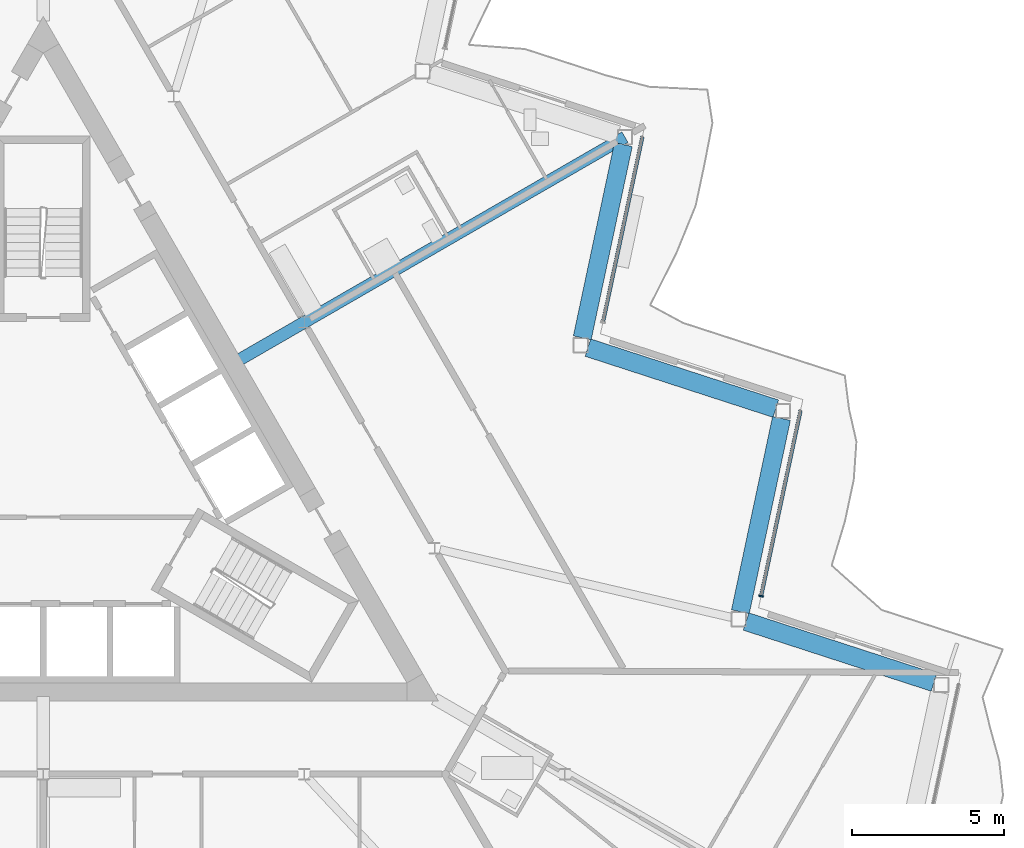
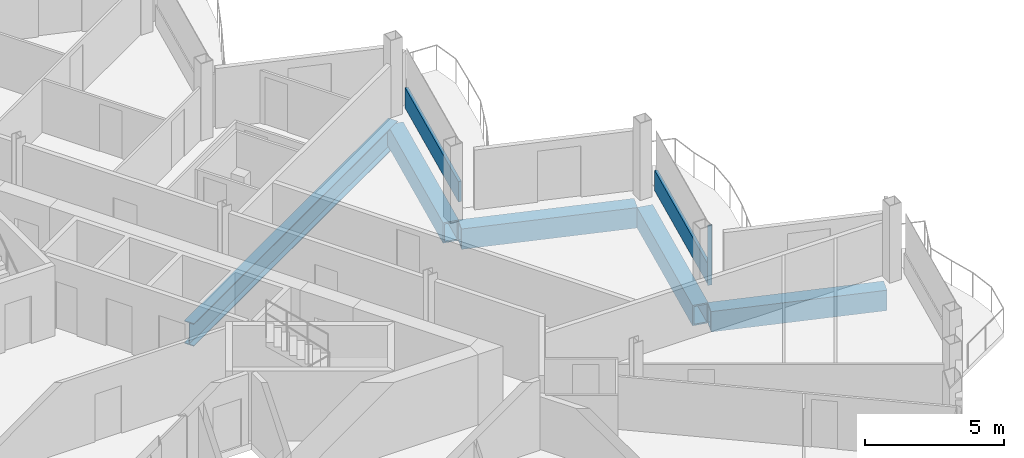
# One storey, part 9 of 27: 4 beams, 4 members, 2 elements without a shape of their own.
"""IFC4 building model written with IfcOpenShell, lengths in metres."""

from ifc_helpers import new_model, si_unit, direction, frame, origin, origin_2d, place, context, subcontext, project, spatial, rectangle, hollow_rectangle, i_section, extrude, material, layer, layer_set, material_profile, profile_set, type_object, element, aggregate, save


model = new_model("IFC4")

# Units and contexts
model_context = context("Model", 3, precision=1e-05, world=origin(), true_north=direction((0.0, 1.0)))
body_context = subcontext(model_context, "Body", "Model", "MODEL_VIEW")
ifc_project = project(units=[si_unit("LENGTHUNIT", "METRE"), si_unit("AREAUNIT", "SQUARE_METRE"), si_unit("VOLUMEUNIT", "CUBIC_METRE"), si_unit("PLANEANGLEUNIT", "RADIAN"), si_unit("MASSUNIT", "GRAM", prefix="KILO")], contexts=[model_context])

# Site, building, storey
site_placement = place(None, origin())
site = spatial("IfcSite", under=ifc_project, at=site_placement, CompositionType="ELEMENT")
building_placement = place(site_placement, origin())
building = spatial("IfcBuilding", under=site, at=building_placement, Name="Cormorant Prow Tower", CompositionType="ELEMENT")
storey_placement = place(building_placement, frame((0.0, 0.0, 361.0)))
storey = spatial("IfcBuildingStorey", under=building, at=storey_placement, Name="L80", CompositionType="ELEMENT", Elevation=361.0)

# Beams
ifc_material_1 = material(Name="Structural steel ASTM A572 Gr 50", Category="steel")
ifc_material_profile_1 = material_profile(ifc_material_1, hollow_rectangle(XDim=0.60009765625, YDim=0.89990234375, WallThickness=0.06005859375, at=origin_2d()), Name="Box 900x600x60")
ifc_profile_set_1 = profile_set([ifc_material_profile_1], Name="Structural steel ASTM A572 Gr 50")
beam_type = type_object("IfcBeamType", Name="Belt truss top chord 900x600x60", PredefinedType="BEAM", material=ifc_profile_set_1)
for number, where, z_axis, x_axis, name in (
    (1, (29.290771484375, -6.89208984375, -0.75), (-0.951053396625, 0.309026595569, 0.0), (-0.309026595569, -0.951053396625, 0.0), "Belt truss top chord TC2 ENE01-ENE02 L80"),
    (2, (22.92578125, -4.5625, -0.75), (0.207909538847, 0.978148058147, 0.0), (-0.978148058147, 0.207909538847, 0.0), "Belt truss top chord TC2 ENE02-ENE03 L80"),
    (3, (24.0908203125, 2.114501953125, -0.75), (-0.951053396625, 0.309026595569, 0.0), (-0.309026595569, -0.951053396625, 0.0), "Belt truss top chord TC2 ENE03-ENE04 L80"),
    (4, (17.725830078125, 4.444091796875, -0.75), (0.207909538847, 0.978148058147, 0.0), (-0.978148058147, 0.207909538847, 0.0), "Belt truss top chord TC2 ENE04-ENE05 L80"),
):
    element("IfcBeam", number, at=place(storey_placement, frame(where, z_axis=z_axis, x_axis=x_axis)), inside=storey, type_object=beam_type, Name=name, PredefinedType="BEAM", context=body_context, shape_type="SweptSolid", body=[
        extrude(hollow_rectangle(XDim=0.60009765625, YDim=0.89990234375, WallThickness=0.06005859375, at=origin_2d()), origin(), (0.0, 0.0, 1.0), 6.497314453125),
    ])

# Member
ifc_material_2 = material(Name="Structural steel ASTM A992 Gr 50", Category="steel")
ifc_material_profile_2 = material_profile(ifc_material_2, i_section(OverallWidth=0.39990234375, OverallDepth=1.000244140625, WebThickness=0.01904296875, FlangeThickness=0.0361328125, at=origin_2d()), Name="W40x249")
ifc_profile_set_2 = profile_set([ifc_material_profile_2], Name="Structural steel ASTM A992 Gr 50")
member_type_1 = type_object("IfcMemberType", Name="Outrigger chord W40x249", PredefinedType="CHORD", material=ifc_profile_set_2)
member_1_placement = place(storey_placement, frame((6.3701171875, 3.677734375, -0.800048828125), z_axis=(0.866023593455, 0.500003135569, 0.0), x_axis=(-0.500003135569, 0.866023593455, 0.0)))
element("IfcMember", 5, at=member_1_placement, inside=storey, type_object=member_type_1, Name="Outrigger top chord 6 L80", PredefinedType="CHORD", context=body_context, shape_type="SweptSolid", body=[
    extrude(i_section(OverallWidth=0.39990234375, OverallDepth=1.000244140625, WebThickness=0.01904296875, FlangeThickness=0.0361328125, at=origin_2d()), origin(), (0.0, 0.0, 1.0), 14.732421875),
])

# Curtain wall, members
ifc_material_3 = material(Name="Aluminium 6063-T6", Category="aluminium")
ifc_layer = layer(ifc_material_3, 0.159912109375)
ifc_layer_set = layer_set([ifc_layer], Name="Aluminium 6063-T6")
curtain_wall_type = type_object("IfcCurtainWallType", Name="Residential unitised curtain wall 160", PredefinedType="NOTDEFINED", material=ifc_layer_set)
curtain_wall_1_placement = place(storey_placement, origin())
curtain_wall_1 = element("IfcCurtainWall", 6, at=curtain_wall_1_placement, inside=storey, type_object=curtain_wall_type, Name="Residential curtain wall ENE02", PredefinedType="NOTDEFINED")
ifc_material_4 = material(Name="Aluminium 6063-T6", Category="aluminium")
ifc_material_profile_3 = material_profile(ifc_material_4, rectangle(XDim=0.159912109375, YDim=0.050048828125, at=origin_2d()), Name="Residential mullion 50x160")
ifc_profile_set_3 = profile_set([ifc_material_profile_3], Name="Aluminium 6063-T6")
member_type_2 = type_object("IfcMemberType", Name="Residential mullion 50x160", PredefinedType="MULLION", material=ifc_profile_set_3)
member_2_placement = place(storey_placement, frame((23.60595703125, -4.048828125, 0.0), z_axis=(0.0, 0.0, 1.0), x_axis=(-0.978147580525, 0.207911785891, 0.0)))
member_2 = element("IfcMember", 7, at=member_2_placement, type_object=member_type_2, Name="Residential mullion ENE02", PredefinedType="MULLION", context=body_context, shape_type="SweptSolid", body=[
    extrude(rectangle(XDim=0.159912109375, YDim=0.050048828125, at=origin_2d()), origin(), (0.0, 0.0, 1.0), 2.6337890625),
])
ifc_material_5 = material(Name="Terracotta", Category="masonry")
ifc_material_profile_4 = material_profile(ifc_material_5, rectangle(XDim=0.1201171875, YDim=0.89990234375, at=origin_2d()), Name="Residential terracotta spandrel rail 120x900")
ifc_profile_set_4 = profile_set([ifc_material_profile_4], Name="Terracotta")
member_type_3 = type_object("IfcMemberType", Name="Residential terracotta spandrel rail 120x900", PredefinedType="USERDEFINED", material=ifc_profile_set_4)
member_3_placement = place(storey_placement, frame((23.611328125, -4.0244140625, 0.449951171875), z_axis=(0.207908552773, 0.978148267741, 0.0), x_axis=(-0.978148267741, 0.207908552773, 0.0)))
member_3 = element("IfcMember", 8, at=member_3_placement, type_object=member_type_3, Name="Residential spandrel rail ENE02", ObjectType="TRANSOM", PredefinedType="USERDEFINED", context=body_context, shape_type="SweptSolid", body=[
    extrude(rectangle(XDim=0.1201171875, YDim=0.89990234375, at=origin_2d()), origin(), (0.0, 0.0, 1.0), 6.21533203125),
])
aggregate(curtain_wall_1, [member_2, member_3])

# Curtain wall, member
curtain_wall_2_placement = place(storey_placement, origin())
curtain_wall_2 = element("IfcCurtainWall", 9, at=curtain_wall_2_placement, inside=storey, type_object=curtain_wall_type, Name="Residential curtain wall ENE04", PredefinedType="NOTDEFINED")
member_4_placement = place(storey_placement, frame((18.4111328125, 4.982177734375, 0.449951171875), z_axis=(0.207908552773, 0.978148267741, 0.0), x_axis=(-0.978148267741, 0.207908552773, 0.0)))
member_4 = element("IfcMember", 10, at=member_4_placement, type_object=member_type_3, Name="Residential spandrel rail ENE04", ObjectType="TRANSOM", PredefinedType="USERDEFINED", context=body_context, shape_type="SweptSolid", body=[
    extrude(rectangle(XDim=0.1201171875, YDim=0.89990234375, at=origin_2d()), origin(), (0.0, 0.0, 1.0), 6.21533203125),
])
aggregate(curtain_wall_2, [member_4])

save(model, "model.ifc")
